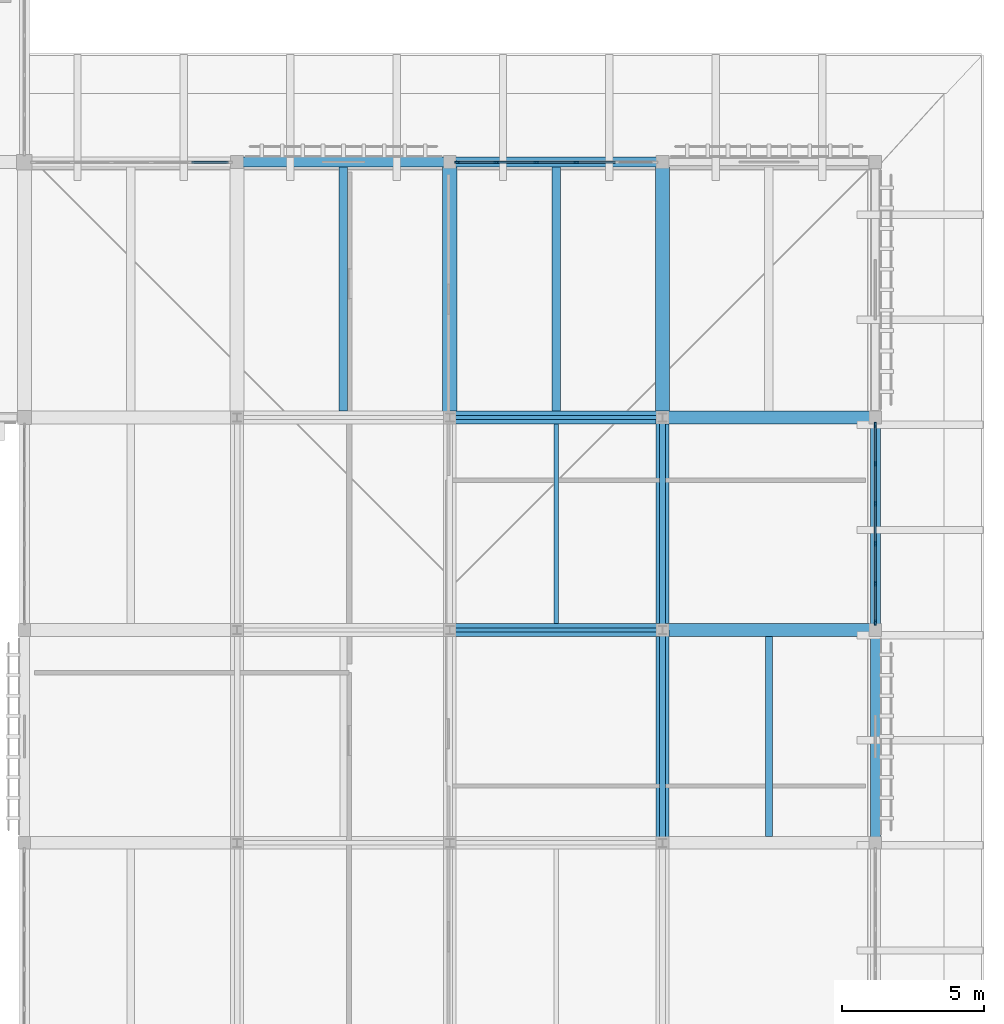
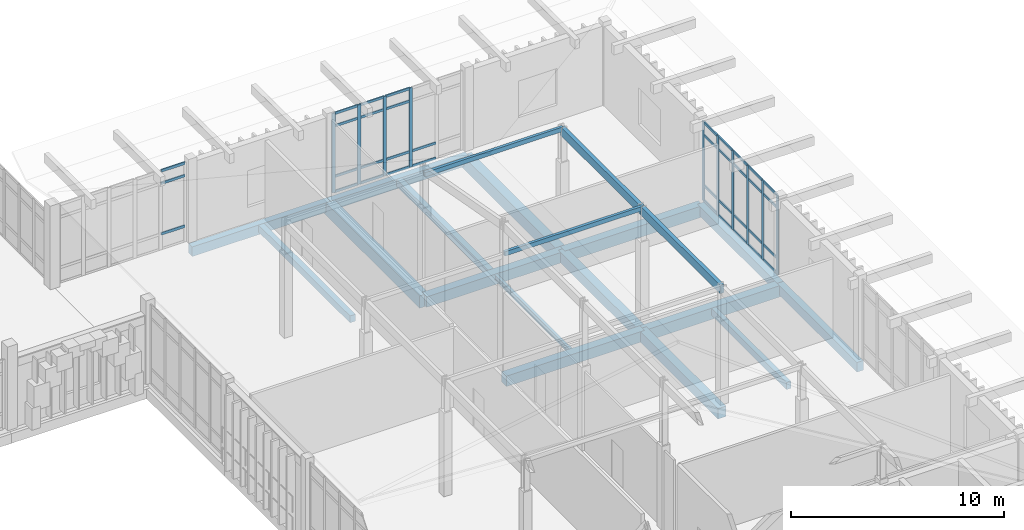
# One storey, part 71 of 131: 49 members, 18 beams, 3 elements without a shape of their own.
"""IFC4 building model written with IfcOpenShell, lengths in metres."""

from ifc_helpers import new_model, si_unit, direction, frame, origin, origin_2d, place, context, subcontext, project, spatial, rectangle, hollow_rectangle, i_section, extrude, material, layer, layer_set, material_profile, profile_set, type_object, element, aggregate, save


model = new_model("IFC4")

# Units and contexts
model_context = context("Model", 3, precision=1e-05, world=origin(), true_north=direction((0.0, 1.0)))
body_context = subcontext(model_context, "Body", "Model", "MODEL_VIEW")
ifc_project = project(units=[si_unit("LENGTHUNIT", "METRE"), si_unit("AREAUNIT", "SQUARE_METRE"), si_unit("VOLUMEUNIT", "CUBIC_METRE"), si_unit("PLANEANGLEUNIT", "RADIAN"), si_unit("MASSUNIT", "GRAM", prefix="KILO")], contexts=[model_context])

# Site, building, storey
site_placement = place(None, origin())
site = spatial("IfcSite", under=ifc_project, at=site_placement, CompositionType="ELEMENT")
building_placement = place(site_placement, origin())
building = spatial("IfcBuilding", under=site, at=building_placement, Name="Dalvernix Boulevard General Hospital", CompositionType="ELEMENT")
storey_placement = place(building_placement, frame((0.0, 0.0, 9.300048828125)))
storey = spatial("IfcBuildingStorey", under=building, at=storey_placement, Name="L02", CompositionType="ELEMENT", Elevation=9.300048828125)

# Beams
ifc_material_1 = material(Name="Concrete C35/45", Category="concrete")
ifc_material_profile_1 = material_profile(ifc_material_1, rectangle(XDim=0.5, YDim=0.699951171875, at=origin_2d()), Name="RCB 500x700")
ifc_profile_set_1 = profile_set([ifc_material_profile_1], Name="Concrete C35/45")
beam_type_1 = type_object("IfcBeamType", Name="BM-B-01-I", PredefinedType="BEAM", material=ifc_profile_set_1)
for number, where, z_axis, x_axis, name in (
    (1, (157.5, 76.5, -0.670166015625), (0.0, 1.0, 0.0), (-1.0, 0.0, 0.0), "L02 N-S girder 22:L-M"),
    (2, (165.0, 76.5, -0.670166015625), (0.0, 1.0, 0.0), (-1.0, 0.0, 0.0), "L02 N-S girder 23:L-M"),
):
    element("IfcBeam", number, at=place(storey_placement, frame(where, z_axis=z_axis, x_axis=x_axis)), inside=storey, type_object=beam_type_1, Name=name, PredefinedType="BEAM", context=body_context, shape_type="SweptSolid", body=[
        extrude(rectangle(XDim=0.5, YDim=0.699951171875, at=origin_2d()), origin(), (0.0, 0.0, 1.0), 9.0),
    ])
ifc_material_profile_2 = material_profile(ifc_material_1, rectangle(XDim=0.449951171875, YDim=0.64990234375, at=origin_2d()), Name="RCB 450x650")
ifc_profile_set_2 = profile_set([ifc_material_profile_2], Name="Concrete C35/45")
beam_type_2 = type_object("IfcBeamType", Name="BM-B-03-I", PredefinedType="BEAM", material=ifc_profile_set_2)
for number, where, z_axis, x_axis, name in (
    (3, (165.0, 69.0, -0.64501953125), (1.0, 0.0, 0.0), (0.0, 1.0, 0.0), "L02 E-W girder K:23-24"),
    (4, (165.0, 76.5, -0.64501953125), (1.0, 0.0, 0.0), (0.0, 1.0, 0.0), "L02 E-W girder L:23-24"),
):
    element("IfcBeam", number, at=place(storey_placement, frame(where, z_axis=z_axis, x_axis=x_axis)), inside=storey, type_object=beam_type_2, Name=name, PredefinedType="BEAM", context=body_context, shape_type="SweptSolid", body=[
        extrude(rectangle(XDim=0.449951171875, YDim=0.64990234375, at=origin_2d()), origin(), (0.0, 0.0, 1.0), 7.5),
    ])
ifc_material_profile_3 = material_profile(ifc_material_1, rectangle(XDim=0.449951171875, YDim=0.60009765625, at=origin_2d()), Name="RCB 450x600")
ifc_profile_set_3 = profile_set([ifc_material_profile_3], Name="Concrete C35/45")
beam_type_3 = type_object("IfcBeamType", Name="BM-B-04-I", PredefinedType="BEAM", material=ifc_profile_set_3)
for number, where, z_axis, x_axis, name in (
    (5, (157.5, 69.0, -0.6201171875), (1.0, 0.0, 0.0), (0.0, 1.0, 0.0), "L02 E-W girder K:22-23"),
    (6, (157.5, 76.5, -0.6201171875), (1.0, 0.0, 0.0), (0.0, 1.0, 0.0), "L02 E-W girder L:22-23"),
    (7, (165.0, 61.5, -0.6201171875), (0.0, 1.0, 0.0), (-1.0, 0.0, 0.0), "L02 N-S girder 23:J-K"),
    (8, (165.0, 69.0, -0.6201171875), (0.0, 1.0, 0.0), (-1.0, 0.0, 0.0), "L02 N-S girder 23:K-L"),
):
    element("IfcBeam", number, at=place(storey_placement, frame(where, z_axis=z_axis, x_axis=x_axis)), inside=storey, type_object=beam_type_3, Name=name, PredefinedType="BEAM", context=body_context, shape_type="SweptSolid", body=[
        extrude(rectangle(XDim=0.449951171875, YDim=0.60009765625, at=origin_2d()), origin(), (0.0, 0.0, 1.0), 7.5),
    ])
ifc_material_2 = material(Name="Glulam GL28h", Category="wood")
ifc_material_profile_4 = material_profile(ifc_material_2, rectangle(XDim=0.199951171875, YDim=0.47998046875, at=origin_2d()), Name="GL28h 200x480")
ifc_profile_set_4 = profile_set([ifc_material_profile_4], Name="Glulam GL28h")
beam_type_4 = type_object("IfcBeamType", Name="BM-GB-T3", PredefinedType="JOIST", material=ifc_profile_set_4)
for number, where, z_axis, x_axis, name in (
    (9, (165.0, 61.5, 6.469970703125), (0.0, 1.0, 0.0), (-1.0, 0.0, 0.0), "V2 pitched glulam rafter 23:J-K"),
    (10, (165.0, 69.0, 6.469970703125), (0.0, 1.0, 0.0), (-1.0, 0.0, 0.0), "V2 pitched glulam rafter 23:K-L"),
):
    element("IfcBeam", number, at=place(storey_placement, frame(where, z_axis=z_axis, x_axis=x_axis)), inside=storey, type_object=beam_type_4, Name=name, PredefinedType="JOIST", context=body_context, shape_type="SweptSolid", body=[
        extrude(rectangle(XDim=0.199951171875, YDim=0.47998046875, at=origin_2d()), origin(), (0.0, 0.0, 1.0), 7.5),
    ])
ifc_material_profile_5 = material_profile(ifc_material_1, rectangle(XDim=0.300048828125, YDim=0.39990234375, at=origin_2d()), Name="RCB 300x400")
ifc_profile_set_5 = profile_set([ifc_material_profile_5], Name="Concrete C35/45")
beam_type_5 = type_object("IfcBeamType", Name="BM-JB-01", PredefinedType="JOIST", material=ifc_profile_set_5)
for number, where, z_axis, x_axis, name in (
    (11, (153.75, 76.72509765625, -0.52001953125), (0.0, 1.0, 0.0), (-1.0, 0.0, 0.0), "L02 secondary floor beam 21-L"),
    (12, (161.25, 76.72509765625, -0.52001953125), (0.0, 1.0, 0.0), (-1.0, 0.0, 0.0), "L02 secondary floor beam 22-L"),
):
    element("IfcBeam", number, at=place(storey_placement, frame(where, z_axis=z_axis, x_axis=x_axis)), inside=storey, type_object=beam_type_5, Name=name, PredefinedType="JOIST", context=body_context, shape_type="SweptSolid", body=[
        extrude(rectangle(XDim=0.300048828125, YDim=0.39990234375, at=origin_2d()), origin(), (0.0, 0.0, 1.0), 8.599853515625),
    ])
ifc_material_profile_6 = material_profile(ifc_material_1, rectangle(XDim=0.25, YDim=0.39990234375, at=origin_2d()), Name="RCB 250x400")
ifc_profile_set_6 = profile_set([ifc_material_profile_6], Name="Concrete C35/45")
beam_type_6 = type_object("IfcBeamType", Name="BM-JB-02", PredefinedType="JOIST", material=ifc_profile_set_6)
beam_1_placement = place(storey_placement, frame((168.75, 61.72509765625, -0.52001953125), z_axis=(0.0, 1.0, 0.0), x_axis=(-1.0, 0.0, 0.0)))
element("IfcBeam", 13, at=beam_1_placement, inside=storey, type_object=beam_type_6, Name="L02 secondary floor beam 23-J", PredefinedType="JOIST", context=body_context, shape_type="SweptSolid", body=[
    extrude(rectangle(XDim=0.25, YDim=0.39990234375, at=origin_2d()), origin(), (0.0, 0.0, 1.0), 7.0498046875),
])
ifc_material_3 = material(Name="Steel S355", Category="steel")
ifc_material_profile_7 = material_profile(ifc_material_3, i_section(OverallWidth=0.14990234375, OverallDepth=0.300048828125, WebThickness=0.007080078125, FlangeThickness=0.0107421875, FilletRadius=0.014892578125, at=origin_2d()), Name="IPE 300")
ifc_profile_set_7 = profile_set([ifc_material_profile_7], Name="Steel S355")
beam_type_7 = type_object("IfcBeamType", Name="BM-JB-03", PredefinedType="JOIST", material=ifc_profile_set_7)
beam_2_placement = place(storey_placement, frame((161.25, 69.22509765625, -0.469970703125), z_axis=(0.0, 1.0, 0.0), x_axis=(-1.0, 0.0, 0.0)))
element("IfcBeam", 14, at=beam_2_placement, inside=storey, type_object=beam_type_7, Name="L02 secondary floor beam 22-K", PredefinedType="JOIST", context=body_context, shape_type="SweptSolid", body=[
    extrude(i_section(OverallWidth=0.14990234375, OverallDepth=0.300048828125, WebThickness=0.007080078125, FlangeThickness=0.0107421875, FilletRadius=0.014892578125, at=origin_2d()), origin(), (0.0, 0.0, 1.0), 7.0498046875),
])
ifc_material_profile_8 = material_profile(ifc_material_1, rectangle(XDim=0.35009765625, YDim=0.550048828125, at=origin_2d()), Name="RCB 350x550")
ifc_profile_set_8 = profile_set([ifc_material_profile_8], Name="Concrete C35/45")
beam_type_8 = type_object("IfcBeamType", Name="BM-SB-01-E", PredefinedType="SPANDREL", material=ifc_profile_set_8)
for number, where, z_axis, x_axis, name in (
    (15, (150.0, 85.5, -0.594970703125), (1.0, 0.0, 0.0), (0.0, 1.0, 0.0), "L02 E-W girder M:21-22"),
    (16, (157.5, 85.5, -0.594970703125), (1.0, 0.0, 0.0), (0.0, 1.0, 0.0), "L02 E-W girder M:22-23"),
    (17, (172.5, 61.5, -0.594970703125), (0.0, 1.0, 0.0), (-1.0, 0.0, 0.0), "L02 N-S girder 24:J-K"),
    (18, (172.5, 69.0, -0.594970703125), (0.0, 1.0, 0.0), (-1.0, 0.0, 0.0), "L02 N-S girder 24:K-L"),
):
    element("IfcBeam", number, at=place(storey_placement, frame(where, z_axis=z_axis, x_axis=x_axis)), inside=storey, type_object=beam_type_8, Name=name, PredefinedType="SPANDREL", context=body_context, shape_type="SweptSolid", body=[
        extrude(rectangle(XDim=0.35009765625, YDim=0.550048828125, at=origin_2d()), origin(), (0.0, 0.0, 1.0), 7.5),
    ])

# Curtain wall, members
ifc_material_4 = material(Name="Thermally broken aluminium and solar-control glass curtain wall", Category="aluminium")
ifc_layer_1 = layer(ifc_material_4, 0.179931640625)
ifc_layer_set_1 = layer_set([ifc_layer_1], Name="Thermally broken aluminium and solar-control glass curtain wall (CW-CW-B-70x46)")
curtain_wall_type_1 = type_object("IfcCurtainWallType", Name="CW-CW-B-70x46", PredefinedType="USERDEFINED", material=ifc_layer_set_1)
curtain_wall_1_placement = place(storey_placement, origin())
curtain_wall_1 = element("IfcCurtainWall", 19, at=curtain_wall_1_placement, inside=storey, type_object=curtain_wall_type_1, Name="L02 curtain wall CW-B-70x46 21-11", ObjectType="GLAZED FACADE", PredefinedType="USERDEFINED")
ifc_material_5 = material(Name="Aluminium EN AW-6060", Category="aluminium")
ifc_material_profile_9 = material_profile(ifc_material_5, rectangle(XDim=0.06494140625, YDim=0.179931640625, at=origin_2d()), Name="ALU MULL 65x180")
ifc_profile_set_9 = profile_set([ifc_material_profile_9], Name="Aluminium EN AW-6060")
member_type_1 = type_object("IfcMemberType", Name="MEM-CW-M2", PredefinedType="MULLION", material=ifc_profile_set_9)
member_1_placement = place(storey_placement, frame((157.767578125, 85.5, 0.0), z_axis=(0.0, 0.0, 1.0), x_axis=(0.0, 1.0, 0.0)))
member_1 = element("IfcMember", 20, at=member_1_placement, type_object=member_type_1, Name="CW-B-70x46 mullion 1", PredefinedType="MULLION", context=body_context, shape_type="SweptSolid", body=[
    extrude(rectangle(XDim=0.06494140625, YDim=0.179931640625, at=origin_2d()), origin(), (0.0, 0.0, 1.0), 4.550048828125),
])
member_2_placement = place(storey_placement, frame((159.14111328125, 85.5, 0.0), z_axis=(0.0, 0.0, 1.0), x_axis=(0.0, 1.0, 0.0)))
member_2 = element("IfcMember", 21, at=member_2_placement, type_object=member_type_1, Name="CW-B-70x46 mullion 2", PredefinedType="MULLION", context=body_context, shape_type="SweptSolid", body=[
    extrude(rectangle(XDim=0.06494140625, YDim=0.179931640625, at=origin_2d()), origin(), (0.0, 0.0, 1.0), 4.550048828125),
])
member_3_placement = place(storey_placement, frame((160.547119140625, 85.5, 0.0), z_axis=(0.0, 0.0, 1.0), x_axis=(0.0, 1.0, 0.0)))
member_3 = element("IfcMember", 22, at=member_3_placement, type_object=member_type_1, Name="CW-B-70x46 mullion 3", PredefinedType="MULLION", context=body_context, shape_type="SweptSolid", body=[
    extrude(rectangle(XDim=0.06494140625, YDim=0.179931640625, at=origin_2d()), origin(), (0.0, 0.0, 1.0), 4.550048828125),
])
member_4_placement = place(storey_placement, frame((161.952880859375, 85.5, 0.0), z_axis=(0.0, 0.0, 1.0), x_axis=(0.0, 1.0, 0.0)))
member_4 = element("IfcMember", 23, at=member_4_placement, type_object=member_type_1, Name="CW-B-70x46 mullion 4", PredefinedType="MULLION", context=body_context, shape_type="SweptSolid", body=[
    extrude(rectangle(XDim=0.06494140625, YDim=0.179931640625, at=origin_2d()), origin(), (0.0, 0.0, 1.0), 4.550048828125),
])

curtain_wall_2_placement = place(storey_placement, origin())
curtain_wall_2 = element("IfcCurtainWall", 24, at=curtain_wall_2_placement, inside=storey, type_object=curtain_wall_type_1, Name="L02 curtain wall CW-B-70x46 23-9", ObjectType="GLAZED FACADE", PredefinedType="USERDEFINED")
member_5_placement = place(storey_placement, frame((172.5, 76.232421875, 0.0), z_axis=(0.0, 0.0, 1.0), x_axis=(1.0, 0.0, 0.0)))
member_5 = element("IfcMember", 25, at=member_5_placement, type_object=member_type_1, Name="CW-B-70x46 mullion 1", PredefinedType="MULLION", context=body_context, shape_type="SweptSolid", body=[
    extrude(rectangle(XDim=0.06494140625, YDim=0.179931640625, at=origin_2d()), origin(), (0.0, 0.0, 1.0), 4.550048828125),
])
member_6_placement = place(storey_placement, frame((172.5, 74.85888671875, 0.0), z_axis=(0.0, 0.0, 1.0), x_axis=(1.0, 0.0, 0.0)))
member_6 = element("IfcMember", 26, at=member_6_placement, type_object=member_type_1, Name="CW-B-70x46 mullion 2", PredefinedType="MULLION", context=body_context, shape_type="SweptSolid", body=[
    extrude(rectangle(XDim=0.06494140625, YDim=0.179931640625, at=origin_2d()), origin(), (0.0, 0.0, 1.0), 4.550048828125),
])
member_7_placement = place(storey_placement, frame((172.5, 73.452880859375, 0.0), z_axis=(0.0, 0.0, 1.0), x_axis=(1.0, 0.0, 0.0)))
member_7 = element("IfcMember", 27, at=member_7_placement, type_object=member_type_1, Name="CW-B-70x46 mullion 3", PredefinedType="MULLION", context=body_context, shape_type="SweptSolid", body=[
    extrude(rectangle(XDim=0.06494140625, YDim=0.179931640625, at=origin_2d()), origin(), (0.0, 0.0, 1.0), 4.550048828125),
])
member_8_placement = place(storey_placement, frame((172.5, 72.047119140625, 0.0), z_axis=(0.0, 0.0, 1.0), x_axis=(1.0, 0.0, 0.0)))
member_8 = element("IfcMember", 28, at=member_8_placement, type_object=member_type_1, Name="CW-B-70x46 mullion 4", PredefinedType="MULLION", context=body_context, shape_type="SweptSolid", body=[
    extrude(rectangle(XDim=0.06494140625, YDim=0.179931640625, at=origin_2d()), origin(), (0.0, 0.0, 1.0), 4.550048828125),
])
member_9_placement = place(storey_placement, frame((172.5, 70.64111328125, 0.0), z_axis=(0.0, 0.0, 1.0), x_axis=(1.0, 0.0, 0.0)))
member_9 = element("IfcMember", 29, at=member_9_placement, type_object=member_type_1, Name="CW-B-70x46 mullion 5", PredefinedType="MULLION", context=body_context, shape_type="SweptSolid", body=[
    extrude(rectangle(XDim=0.06494140625, YDim=0.179931640625, at=origin_2d()), origin(), (0.0, 0.0, 1.0), 4.550048828125),
])
member_10_placement = place(storey_placement, frame((172.5, 69.267578125, 0.0), z_axis=(0.0, 0.0, 1.0), x_axis=(1.0, 0.0, 0.0)))
member_10 = element("IfcMember", 30, at=member_10_placement, type_object=member_type_1, Name="CW-B-70x46 mullion 6", PredefinedType="MULLION", context=body_context, shape_type="SweptSolid", body=[
    extrude(rectangle(XDim=0.06494140625, YDim=0.179931640625, at=origin_2d()), origin(), (0.0, 0.0, 1.0), 4.550048828125),
])

# Member
ifc_material_profile_10 = material_profile(ifc_material_5, rectangle(XDim=0.06494140625, YDim=0.139892578125, at=origin_2d()), Name="ALU TRAN 65x140")
ifc_profile_set_10 = profile_set([ifc_material_profile_10], Name="Aluminium EN AW-6060")
member_type_2 = type_object("IfcMemberType", Name="MEM-CW-T2", PredefinedType="USERDEFINED", material=ifc_profile_set_10)
member_11_placement = place(storey_placement, frame((157.800048828125, 85.5, 0.032470703125), z_axis=(1.0, 0.0, 0.0), x_axis=(0.0, 1.0, 0.0)))
member_11 = element("IfcMember", 31, at=member_11_placement, type_object=member_type_2, Name="CW-B-70x46 transom 1.1", ObjectType="TRANSOM", PredefinedType="USERDEFINED", context=body_context, shape_type="SweptSolid", body=[
    extrude(rectangle(XDim=0.06494140625, YDim=0.139892578125, at=origin_2d()), origin(), (0.0, 0.0, 1.0), 1.308349609375),
])

member_12_placement = place(storey_placement, frame((157.800048828125, 85.5, 0.89990234375), z_axis=(1.0, 0.0, 0.0), x_axis=(0.0, 1.0, 0.0)))
member_12 = element("IfcMember", 32, at=member_12_placement, type_object=member_type_2, Name="CW-B-70x46 transom 1.2", ObjectType="TRANSOM", PredefinedType="USERDEFINED", context=body_context, shape_type="SweptSolid", body=[
    extrude(rectangle(XDim=0.06494140625, YDim=0.139892578125, at=origin_2d()), origin(), (0.0, 0.0, 1.0), 1.308349609375),
])

member_13_placement = place(storey_placement, frame((157.800048828125, 85.5, 3.800048828125), z_axis=(1.0, 0.0, 0.0), x_axis=(0.0, 1.0, 0.0)))
member_13 = element("IfcMember", 33, at=member_13_placement, type_object=member_type_2, Name="CW-B-70x46 transom 1.3", ObjectType="TRANSOM", PredefinedType="USERDEFINED", context=body_context, shape_type="SweptSolid", body=[
    extrude(rectangle(XDim=0.06494140625, YDim=0.139892578125, at=origin_2d()), origin(), (0.0, 0.0, 1.0), 1.308349609375),
])

member_14_placement = place(storey_placement, frame((157.800048828125, 85.5, 4.517333984375), z_axis=(1.0, 0.0, 0.0), x_axis=(0.0, 1.0, 0.0)))
member_14 = element("IfcMember", 34, at=member_14_placement, type_object=member_type_2, Name="CW-B-70x46 transom 1.4", ObjectType="TRANSOM", PredefinedType="USERDEFINED", context=body_context, shape_type="SweptSolid", body=[
    extrude(rectangle(XDim=0.06494140625, YDim=0.139892578125, at=origin_2d()), origin(), (0.0, 0.0, 1.0), 1.308349609375),
])

member_15_placement = place(storey_placement, frame((159.173583984375, 85.5, 0.032470703125), z_axis=(1.0, 0.0, 0.0), x_axis=(0.0, 1.0, 0.0)))
member_15 = element("IfcMember", 35, at=member_15_placement, type_object=member_type_2, Name="CW-B-70x46 transom 2.1", ObjectType="TRANSOM", PredefinedType="USERDEFINED", context=body_context, shape_type="SweptSolid", body=[
    extrude(rectangle(XDim=0.06494140625, YDim=0.139892578125, at=origin_2d()), origin(), (0.0, 0.0, 1.0), 1.3408203125),
])

member_16_placement = place(storey_placement, frame((159.173583984375, 85.5, 0.89990234375), z_axis=(1.0, 0.0, 0.0), x_axis=(0.0, 1.0, 0.0)))
member_16 = element("IfcMember", 36, at=member_16_placement, type_object=member_type_2, Name="CW-B-70x46 transom 2.2", ObjectType="TRANSOM", PredefinedType="USERDEFINED", context=body_context, shape_type="SweptSolid", body=[
    extrude(rectangle(XDim=0.06494140625, YDim=0.139892578125, at=origin_2d()), origin(), (0.0, 0.0, 1.0), 1.3408203125),
])

member_17_placement = place(storey_placement, frame((159.173583984375, 85.5, 3.800048828125), z_axis=(1.0, 0.0, 0.0), x_axis=(0.0, 1.0, 0.0)))
member_17 = element("IfcMember", 37, at=member_17_placement, type_object=member_type_2, Name="CW-B-70x46 transom 2.3", ObjectType="TRANSOM", PredefinedType="USERDEFINED", context=body_context, shape_type="SweptSolid", body=[
    extrude(rectangle(XDim=0.06494140625, YDim=0.139892578125, at=origin_2d()), origin(), (0.0, 0.0, 1.0), 1.3408203125),
])

member_18_placement = place(storey_placement, frame((159.173583984375, 85.5, 4.517333984375), z_axis=(1.0, 0.0, 0.0), x_axis=(0.0, 1.0, 0.0)))
member_18 = element("IfcMember", 38, at=member_18_placement, type_object=member_type_2, Name="CW-B-70x46 transom 2.4", ObjectType="TRANSOM", PredefinedType="USERDEFINED", context=body_context, shape_type="SweptSolid", body=[
    extrude(rectangle(XDim=0.06494140625, YDim=0.139892578125, at=origin_2d()), origin(), (0.0, 0.0, 1.0), 1.3408203125),
])

member_19_placement = place(storey_placement, frame((160.57958984375, 85.5, 0.032470703125), z_axis=(1.0, 0.0, 0.0), x_axis=(0.0, 1.0, 0.0)))
member_19 = element("IfcMember", 39, at=member_19_placement, type_object=member_type_2, Name="CW-B-70x46 transom 3.1", ObjectType="TRANSOM", PredefinedType="USERDEFINED", context=body_context, shape_type="SweptSolid", body=[
    extrude(rectangle(XDim=0.06494140625, YDim=0.139892578125, at=origin_2d()), origin(), (0.0, 0.0, 1.0), 1.3408203125),
])

member_20_placement = place(storey_placement, frame((160.57958984375, 85.5, 0.89990234375), z_axis=(1.0, 0.0, 0.0), x_axis=(0.0, 1.0, 0.0)))
member_20 = element("IfcMember", 40, at=member_20_placement, type_object=member_type_2, Name="CW-B-70x46 transom 3.2", ObjectType="TRANSOM", PredefinedType="USERDEFINED", context=body_context, shape_type="SweptSolid", body=[
    extrude(rectangle(XDim=0.06494140625, YDim=0.139892578125, at=origin_2d()), origin(), (0.0, 0.0, 1.0), 1.3408203125),
])

member_21_placement = place(storey_placement, frame((160.57958984375, 85.5, 3.800048828125), z_axis=(1.0, 0.0, 0.0), x_axis=(0.0, 1.0, 0.0)))
member_21 = element("IfcMember", 41, at=member_21_placement, type_object=member_type_2, Name="CW-B-70x46 transom 3.3", ObjectType="TRANSOM", PredefinedType="USERDEFINED", context=body_context, shape_type="SweptSolid", body=[
    extrude(rectangle(XDim=0.06494140625, YDim=0.139892578125, at=origin_2d()), origin(), (0.0, 0.0, 1.0), 1.3408203125),
])

member_22_placement = place(storey_placement, frame((160.57958984375, 85.5, 4.517333984375), z_axis=(1.0, 0.0, 0.0), x_axis=(0.0, 1.0, 0.0)))
member_22 = element("IfcMember", 42, at=member_22_placement, type_object=member_type_2, Name="CW-B-70x46 transom 3.4", ObjectType="TRANSOM", PredefinedType="USERDEFINED", context=body_context, shape_type="SweptSolid", body=[
    extrude(rectangle(XDim=0.06494140625, YDim=0.139892578125, at=origin_2d()), origin(), (0.0, 0.0, 1.0), 1.3408203125),
])

member_23_placement = place(storey_placement, frame((161.985595703125, 85.5, 0.032470703125), z_axis=(1.0, 0.0, 0.0), x_axis=(0.0, 1.0, 0.0)))
member_23 = element("IfcMember", 43, at=member_23_placement, type_object=member_type_2, Name="CW-B-70x46 transom 4.1", ObjectType="TRANSOM", PredefinedType="USERDEFINED", context=body_context, shape_type="SweptSolid", body=[
    extrude(rectangle(XDim=0.06494140625, YDim=0.139892578125, at=origin_2d()), origin(), (0.0, 0.0, 1.0), 1.3408203125),
])

member_24_placement = place(storey_placement, frame((161.985595703125, 85.5, 0.89990234375), z_axis=(1.0, 0.0, 0.0), x_axis=(0.0, 1.0, 0.0)))
member_24 = element("IfcMember", 44, at=member_24_placement, type_object=member_type_2, Name="CW-B-70x46 transom 4.2", ObjectType="TRANSOM", PredefinedType="USERDEFINED", context=body_context, shape_type="SweptSolid", body=[
    extrude(rectangle(XDim=0.06494140625, YDim=0.139892578125, at=origin_2d()), origin(), (0.0, 0.0, 1.0), 1.3408203125),
])

aggregate(curtain_wall_1, [member_1, member_2, member_3, member_4, member_11, member_12, member_13, member_14, member_15, member_16, member_17, member_18, member_19, member_20, member_21, member_22, member_23, member_24])

member_25_placement = place(storey_placement, frame((172.5, 76.199951171875, 0.032470703125), z_axis=(0.0, -1.0, 0.0), x_axis=(1.0, 0.0, 0.0)))
member_25 = element("IfcMember", 45, at=member_25_placement, type_object=member_type_2, Name="CW-B-70x46 transom 1.1", ObjectType="TRANSOM", PredefinedType="USERDEFINED", context=body_context, shape_type="SweptSolid", body=[
    extrude(rectangle(XDim=0.06494140625, YDim=0.139892578125, at=origin_2d()), origin(), (0.0, 0.0, 1.0), 1.308349609375),
])

member_26_placement = place(storey_placement, frame((172.5, 76.199951171875, 0.89990234375), z_axis=(0.0, -1.0, 0.0), x_axis=(1.0, 0.0, 0.0)))
member_26 = element("IfcMember", 46, at=member_26_placement, type_object=member_type_2, Name="CW-B-70x46 transom 1.2", ObjectType="TRANSOM", PredefinedType="USERDEFINED", context=body_context, shape_type="SweptSolid", body=[
    extrude(rectangle(XDim=0.06494140625, YDim=0.139892578125, at=origin_2d()), origin(), (0.0, 0.0, 1.0), 1.308349609375),
])

member_27_placement = place(storey_placement, frame((172.5, 76.199951171875, 3.800048828125), z_axis=(0.0, -1.0, 0.0), x_axis=(1.0, 0.0, 0.0)))
member_27 = element("IfcMember", 47, at=member_27_placement, type_object=member_type_2, Name="CW-B-70x46 transom 1.3", ObjectType="TRANSOM", PredefinedType="USERDEFINED", context=body_context, shape_type="SweptSolid", body=[
    extrude(rectangle(XDim=0.06494140625, YDim=0.139892578125, at=origin_2d()), origin(), (0.0, 0.0, 1.0), 1.308349609375),
])

member_28_placement = place(storey_placement, frame((172.5, 76.199951171875, 4.517333984375), z_axis=(0.0, -1.0, 0.0), x_axis=(1.0, 0.0, 0.0)))
member_28 = element("IfcMember", 48, at=member_28_placement, type_object=member_type_2, Name="CW-B-70x46 transom 1.4", ObjectType="TRANSOM", PredefinedType="USERDEFINED", context=body_context, shape_type="SweptSolid", body=[
    extrude(rectangle(XDim=0.06494140625, YDim=0.139892578125, at=origin_2d()), origin(), (0.0, 0.0, 1.0), 1.308349609375),
])

member_29_placement = place(storey_placement, frame((172.5, 74.826416015625, 0.032470703125), z_axis=(0.0, -1.0, 0.0), x_axis=(1.0, 0.0, 0.0)))
member_29 = element("IfcMember", 49, at=member_29_placement, type_object=member_type_2, Name="CW-B-70x46 transom 2.1", ObjectType="TRANSOM", PredefinedType="USERDEFINED", context=body_context, shape_type="SweptSolid", body=[
    extrude(rectangle(XDim=0.06494140625, YDim=0.139892578125, at=origin_2d()), origin(), (0.0, 0.0, 1.0), 1.3408203125),
])

member_30_placement = place(storey_placement, frame((172.5, 74.826416015625, 0.89990234375), z_axis=(0.0, -1.0, 0.0), x_axis=(1.0, 0.0, 0.0)))
member_30 = element("IfcMember", 50, at=member_30_placement, type_object=member_type_2, Name="CW-B-70x46 transom 2.2", ObjectType="TRANSOM", PredefinedType="USERDEFINED", context=body_context, shape_type="SweptSolid", body=[
    extrude(rectangle(XDim=0.06494140625, YDim=0.139892578125, at=origin_2d()), origin(), (0.0, 0.0, 1.0), 1.3408203125),
])

member_31_placement = place(storey_placement, frame((172.5, 74.826416015625, 3.800048828125), z_axis=(0.0, -1.0, 0.0), x_axis=(1.0, 0.0, 0.0)))
member_31 = element("IfcMember", 51, at=member_31_placement, type_object=member_type_2, Name="CW-B-70x46 transom 2.3", ObjectType="TRANSOM", PredefinedType="USERDEFINED", context=body_context, shape_type="SweptSolid", body=[
    extrude(rectangle(XDim=0.06494140625, YDim=0.139892578125, at=origin_2d()), origin(), (0.0, 0.0, 1.0), 1.3408203125),
])

member_32_placement = place(storey_placement, frame((172.5, 74.826416015625, 4.517333984375), z_axis=(0.0, -1.0, 0.0), x_axis=(1.0, 0.0, 0.0)))
member_32 = element("IfcMember", 52, at=member_32_placement, type_object=member_type_2, Name="CW-B-70x46 transom 2.4", ObjectType="TRANSOM", PredefinedType="USERDEFINED", context=body_context, shape_type="SweptSolid", body=[
    extrude(rectangle(XDim=0.06494140625, YDim=0.139892578125, at=origin_2d()), origin(), (0.0, 0.0, 1.0), 1.3408203125),
])

member_33_placement = place(storey_placement, frame((172.5, 73.42041015625, 0.032470703125), z_axis=(0.0, -1.0, 0.0), x_axis=(1.0, 0.0, 0.0)))
member_33 = element("IfcMember", 53, at=member_33_placement, type_object=member_type_2, Name="CW-B-70x46 transom 3.1", ObjectType="TRANSOM", PredefinedType="USERDEFINED", context=body_context, shape_type="SweptSolid", body=[
    extrude(rectangle(XDim=0.06494140625, YDim=0.139892578125, at=origin_2d()), origin(), (0.0, 0.0, 1.0), 1.3408203125),
])

member_34_placement = place(storey_placement, frame((172.5, 73.42041015625, 0.89990234375), z_axis=(0.0, -1.0, 0.0), x_axis=(1.0, 0.0, 0.0)))
member_34 = element("IfcMember", 54, at=member_34_placement, type_object=member_type_2, Name="CW-B-70x46 transom 3.2", ObjectType="TRANSOM", PredefinedType="USERDEFINED", context=body_context, shape_type="SweptSolid", body=[
    extrude(rectangle(XDim=0.06494140625, YDim=0.139892578125, at=origin_2d()), origin(), (0.0, 0.0, 1.0), 1.3408203125),
])

member_35_placement = place(storey_placement, frame((172.5, 73.42041015625, 3.800048828125), z_axis=(0.0, -1.0, 0.0), x_axis=(1.0, 0.0, 0.0)))
member_35 = element("IfcMember", 55, at=member_35_placement, type_object=member_type_2, Name="CW-B-70x46 transom 3.3", ObjectType="TRANSOM", PredefinedType="USERDEFINED", context=body_context, shape_type="SweptSolid", body=[
    extrude(rectangle(XDim=0.06494140625, YDim=0.139892578125, at=origin_2d()), origin(), (0.0, 0.0, 1.0), 1.3408203125),
])

member_36_placement = place(storey_placement, frame((172.5, 73.42041015625, 4.517333984375), z_axis=(0.0, -1.0, 0.0), x_axis=(1.0, 0.0, 0.0)))
member_36 = element("IfcMember", 56, at=member_36_placement, type_object=member_type_2, Name="CW-B-70x46 transom 3.4", ObjectType="TRANSOM", PredefinedType="USERDEFINED", context=body_context, shape_type="SweptSolid", body=[
    extrude(rectangle(XDim=0.06494140625, YDim=0.139892578125, at=origin_2d()), origin(), (0.0, 0.0, 1.0), 1.3408203125),
])

member_37_placement = place(storey_placement, frame((172.5, 72.014404296875, 0.032470703125), z_axis=(0.0, -1.0, 0.0), x_axis=(1.0, 0.0, 0.0)))
member_37 = element("IfcMember", 57, at=member_37_placement, type_object=member_type_2, Name="CW-B-70x46 transom 4.1", ObjectType="TRANSOM", PredefinedType="USERDEFINED", context=body_context, shape_type="SweptSolid", body=[
    extrude(rectangle(XDim=0.06494140625, YDim=0.139892578125, at=origin_2d()), origin(), (0.0, 0.0, 1.0), 1.3408203125),
])

member_38_placement = place(storey_placement, frame((172.5, 72.014404296875, 0.89990234375), z_axis=(0.0, -1.0, 0.0), x_axis=(1.0, 0.0, 0.0)))
member_38 = element("IfcMember", 58, at=member_38_placement, type_object=member_type_2, Name="CW-B-70x46 transom 4.2", ObjectType="TRANSOM", PredefinedType="USERDEFINED", context=body_context, shape_type="SweptSolid", body=[
    extrude(rectangle(XDim=0.06494140625, YDim=0.139892578125, at=origin_2d()), origin(), (0.0, 0.0, 1.0), 1.3408203125),
])

member_39_placement = place(storey_placement, frame((172.5, 72.014404296875, 3.800048828125), z_axis=(0.0, -1.0, 0.0), x_axis=(1.0, 0.0, 0.0)))
member_39 = element("IfcMember", 59, at=member_39_placement, type_object=member_type_2, Name="CW-B-70x46 transom 4.3", ObjectType="TRANSOM", PredefinedType="USERDEFINED", context=body_context, shape_type="SweptSolid", body=[
    extrude(rectangle(XDim=0.06494140625, YDim=0.139892578125, at=origin_2d()), origin(), (0.0, 0.0, 1.0), 1.3408203125),
])

member_40_placement = place(storey_placement, frame((172.5, 72.014404296875, 4.517333984375), z_axis=(0.0, -1.0, 0.0), x_axis=(1.0, 0.0, 0.0)))
member_40 = element("IfcMember", 60, at=member_40_placement, type_object=member_type_2, Name="CW-B-70x46 transom 4.4", ObjectType="TRANSOM", PredefinedType="USERDEFINED", context=body_context, shape_type="SweptSolid", body=[
    extrude(rectangle(XDim=0.06494140625, YDim=0.139892578125, at=origin_2d()), origin(), (0.0, 0.0, 1.0), 1.3408203125),
])

member_41_placement = place(storey_placement, frame((172.5, 70.6083984375, 0.032470703125), z_axis=(0.0, -1.0, 0.0), x_axis=(1.0, 0.0, 0.0)))
member_41 = element("IfcMember", 61, at=member_41_placement, type_object=member_type_2, Name="CW-B-70x46 transom 5.1", ObjectType="TRANSOM", PredefinedType="USERDEFINED", context=body_context, shape_type="SweptSolid", body=[
    extrude(rectangle(XDim=0.06494140625, YDim=0.139892578125, at=origin_2d()), origin(), (0.0, 0.0, 1.0), 1.308349609375),
])

member_42_placement = place(storey_placement, frame((172.5, 70.6083984375, 0.89990234375), z_axis=(0.0, -1.0, 0.0), x_axis=(1.0, 0.0, 0.0)))
member_42 = element("IfcMember", 62, at=member_42_placement, type_object=member_type_2, Name="CW-B-70x46 transom 5.2", ObjectType="TRANSOM", PredefinedType="USERDEFINED", context=body_context, shape_type="SweptSolid", body=[
    extrude(rectangle(XDim=0.06494140625, YDim=0.139892578125, at=origin_2d()), origin(), (0.0, 0.0, 1.0), 1.308349609375),
])

member_43_placement = place(storey_placement, frame((172.5, 70.6083984375, 3.800048828125), z_axis=(0.0, -1.0, 0.0), x_axis=(1.0, 0.0, 0.0)))
member_43 = element("IfcMember", 63, at=member_43_placement, type_object=member_type_2, Name="CW-B-70x46 transom 5.3", ObjectType="TRANSOM", PredefinedType="USERDEFINED", context=body_context, shape_type="SweptSolid", body=[
    extrude(rectangle(XDim=0.06494140625, YDim=0.139892578125, at=origin_2d()), origin(), (0.0, 0.0, 1.0), 1.308349609375),
])

member_44_placement = place(storey_placement, frame((172.5, 70.6083984375, 4.517333984375), z_axis=(0.0, -1.0, 0.0), x_axis=(1.0, 0.0, 0.0)))
member_44 = element("IfcMember", 64, at=member_44_placement, type_object=member_type_2, Name="CW-B-70x46 transom 5.4", ObjectType="TRANSOM", PredefinedType="USERDEFINED", context=body_context, shape_type="SweptSolid", body=[
    extrude(rectangle(XDim=0.06494140625, YDim=0.139892578125, at=origin_2d()), origin(), (0.0, 0.0, 1.0), 1.308349609375),
])

aggregate(curtain_wall_2, [member_5, member_6, member_7, member_8, member_9, member_10, member_25, member_26, member_27, member_28, member_29, member_30, member_31, member_32, member_33, member_34, member_35, member_36, member_37, member_38, member_39, member_40, member_41, member_42, member_43, member_44])

# Curtain wall, members
ifc_layer_2 = layer(ifc_material_4, 0.199951171875)
ifc_layer_set_2 = layer_set([ifc_layer_2], Name="Thermally broken aluminium and solar-control glass curtain wall (CW-CW-C-70x46)")
curtain_wall_type_2 = type_object("IfcCurtainWallType", Name="CW-CW-C-70x46", PredefinedType="USERDEFINED", material=ifc_layer_set_2)
curtain_wall_3_placement = place(storey_placement, origin())
curtain_wall_3 = element("IfcCurtainWall", 65, at=curtain_wall_3_placement, inside=storey, type_object=curtain_wall_type_2, Name="L02 curtain wall CW-C-70x46 19-11", ObjectType="GLAZED FACADE", PredefinedType="USERDEFINED")
ifc_material_profile_11 = material_profile(ifc_material_5, rectangle(XDim=0.070068359375, YDim=0.14990234375, at=origin_2d()), Name="ALU TRAN 70x150")
ifc_profile_set_11 = profile_set([ifc_material_profile_11], Name="Aluminium EN AW-6060")
member_type_3 = type_object("IfcMemberType", Name="MEM-CW-T3", PredefinedType="USERDEFINED", material=ifc_profile_set_11)
member_45_placement = place(storey_placement, frame((148.404052734375, 85.5, 0.89990234375), z_axis=(1.0, 0.0, 0.0), x_axis=(0.0, 1.0, 0.0)))
member_45 = element("IfcMember", 66, at=member_45_placement, type_object=member_type_3, Name="CW-C-70x46 transom 5.2", ObjectType="TRANSOM", PredefinedType="USERDEFINED", context=body_context, shape_type="SweptSolid", body=[
    extrude(rectangle(XDim=0.070068359375, YDim=0.14990234375, at=origin_2d()), origin(), (0.0, 0.0, 1.0), 1.291015625),
])
member_46_placement = place(storey_placement, frame((148.404052734375, 85.5, 3.800048828125), z_axis=(1.0, 0.0, 0.0), x_axis=(0.0, 1.0, 0.0)))
member_46 = element("IfcMember", 67, at=member_46_placement, type_object=member_type_3, Name="CW-C-70x46 transom 5.3", ObjectType="TRANSOM", PredefinedType="USERDEFINED", context=body_context, shape_type="SweptSolid", body=[
    extrude(rectangle(XDim=0.070068359375, YDim=0.14990234375, at=origin_2d()), origin(), (0.0, 0.0, 1.0), 1.291015625),
])
member_47_placement = place(storey_placement, frame((148.404052734375, 85.5, 4.514892578125), z_axis=(1.0, 0.0, 0.0), x_axis=(0.0, 1.0, 0.0)))
member_47 = element("IfcMember", 68, at=member_47_placement, type_object=member_type_3, Name="CW-C-70x46 transom 5.4", ObjectType="TRANSOM", PredefinedType="USERDEFINED", context=body_context, shape_type="SweptSolid", body=[
    extrude(rectangle(XDim=0.070068359375, YDim=0.14990234375, at=origin_2d()), origin(), (0.0, 0.0, 1.0), 1.291015625),
])
aggregate(curtain_wall_3, [member_45, member_46, member_47])

# Members
ifc_material_profile_12 = material_profile(ifc_material_3, hollow_rectangle(XDim=0.14990234375, YDim=0.25, WallThickness=0.010009765625, at=origin_2d()), Name="RHS 250x150x10.0")
ifc_profile_set_12 = profile_set([ifc_material_profile_12], Name="Steel S355")
member_type_4 = type_object("IfcMemberType", Name="MEM-PR-04", PredefinedType="PURLIN", material=ifc_profile_set_12)
for number, where, z_axis, x_axis, name in (
    (69, (157.5, 69.0, 6.594970703125), (1.0, 0.0, 0.0), (0.0, 1.0, 0.0), "V2 attic purlin 22-23:K"),
    (70, (157.5, 76.5, 6.594970703125), (1.0, 0.0, 0.0), (0.0, 1.0, 0.0), "V2 attic purlin 22-23:L"),
):
    element("IfcMember", number, at=place(storey_placement, frame(where, z_axis=z_axis, x_axis=x_axis)), inside=storey, type_object=member_type_4, Name=name, PredefinedType="PURLIN", context=body_context, shape_type="SweptSolid", body=[
        extrude(hollow_rectangle(XDim=0.14990234375, YDim=0.25, WallThickness=0.010009765625, at=origin_2d()), origin(), (0.0, 0.0, 1.0), 7.5),
    ])

save(model, "model.ifc")
